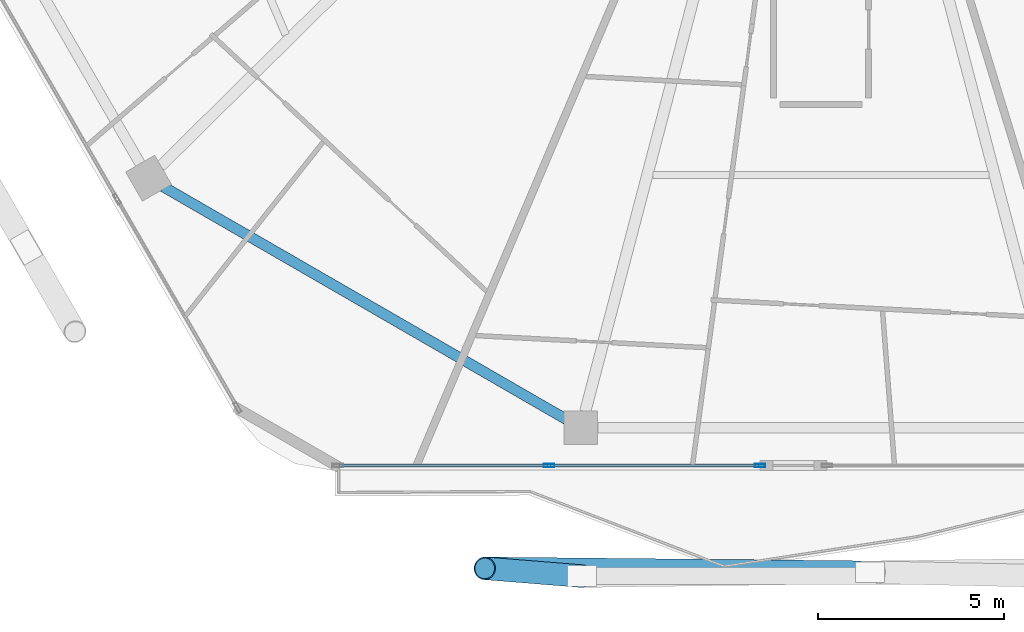
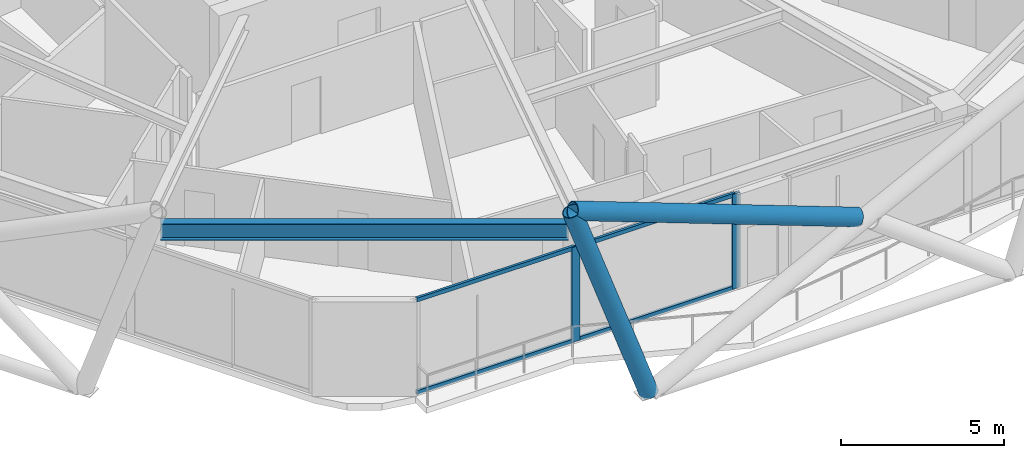
# One storey, part 3 of 28: 8 members, 1 beam, 1 element without a shape of its own.
"""IFC4 building model written with IfcOpenShell, lengths in metres."""

from ifc_helpers import new_model, si_unit, direction, frame, origin, origin_2d, place, context, subcontext, project, spatial, hollow_rectangle, hollow_circle, i_section, extrude, material, material_profile, profile_set, type_object, element, aggregate, save


model = new_model("IFC4")

# Units and contexts
model_context = context("Model", 3, precision=1e-05, world=origin(), true_north=direction((0.0, 1.0)))
body_context = subcontext(model_context, "Body", "Model", "MODEL_VIEW")
ifc_project = project(units=[si_unit("LENGTHUNIT", "METRE"), si_unit("AREAUNIT", "SQUARE_METRE"), si_unit("VOLUMEUNIT", "CUBIC_METRE"), si_unit("PLANEANGLEUNIT", "RADIAN"), si_unit("MASSUNIT", "GRAM", prefix="KILO")], contexts=[model_context])

# Site, building, storey
site_placement = place(None, origin())
site = spatial("IfcSite", under=ifc_project, at=site_placement, CompositionType="ELEMENT")
building_placement = place(site_placement, origin())
building = spatial("IfcBuilding", under=site, at=building_placement, Name="Zuhravey Tower", CompositionType="ELEMENT")
storey_placement = place(building_placement, frame((0.0, 0.0, 254.0)))
storey = spatial("IfcBuildingStorey", under=building, at=storey_placement, Name="L64", CompositionType="ELEMENT", Elevation=254.0)

# Curtain wall, members
ifc_material_1 = material(Name="Thermally broken anodised aluminium", Category="aluminium")
curtain_wall_type = type_object("IfcCurtainWallType", Name="Zone 3-4 High-Rise Curtain Wall CW4", PredefinedType="NOTDEFINED", material=ifc_material_1)
curtain_wall_placement = place(storey_placement, origin())
curtain_wall = element("IfcCurtainWall", 1, at=curtain_wall_placement, inside=storey, type_object=curtain_wall_type, Name="L64 CW4 CW-L64-F5-2", PredefinedType="NOTDEFINED")
ifc_material_2 = material(Name="Anodised aluminium", Category="aluminium")
ifc_material_profile_1 = material_profile(ifc_material_2, hollow_rectangle(XDim=0.090087890625, YDim=0.284912109375, WallThickness=0.0048828125, at=origin_2d()), Name="ALU-RHS-90x285x5")
ifc_profile_set_1 = profile_set([ifc_material_profile_1], Name="Anodised aluminium")
member_type_1 = type_object("IfcMemberType", Name="Curtain-Wall Mullion 90x180", PredefinedType="MULLION", material=ifc_profile_set_1)
member_1_placement = place(storey_placement, frame((34.3671875, 6.436279296875, 0.0), z_axis=(0.0, 0.0, 1.0), x_axis=(0.0, -1.0, 0.0)))
member_1 = element("IfcMember", 2, at=member_1_placement, type_object=member_type_1, Name="CW4 mullion 1", PredefinedType="MULLION", context=body_context, shape_type="SweptSolid", body=[
    extrude(hollow_rectangle(XDim=0.090087890625, YDim=0.284912109375, WallThickness=0.0048828125, at=origin_2d()), origin(), (0.0, 0.0, 1.0), 3.550048828125),
])
member_2_placement = place(storey_placement, frame((28.69970703125, 6.436279296875, 0.0), z_axis=(0.0, 0.0, 1.0), x_axis=(0.0, -1.0, 0.0)))
member_2 = element("IfcMember", 3, at=member_2_placement, type_object=member_type_1, Name="CW4 mullion 2", PredefinedType="MULLION", context=body_context, shape_type="SweptSolid", body=[
    extrude(hollow_rectangle(XDim=0.090087890625, YDim=0.284912109375, WallThickness=0.0048828125, at=origin_2d()), origin(), (0.0, 0.0, 1.0), 3.550048828125),
])
ifc_material_profile_2 = material_profile(ifc_material_2, hollow_rectangle(XDim=0.090087890625, YDim=0.14990234375, WallThickness=0.0048828125, at=origin_2d()), Name="ALU-RHS-90x150x5")
ifc_profile_set_2 = profile_set([ifc_material_profile_2], Name="Anodised aluminium")
member_type_2 = type_object("IfcMemberType", Name="Curtain-Wall Transom 90x150", PredefinedType="USERDEFINED", material=ifc_profile_set_2)
member_3_placement = place(storey_placement, frame((34.322265625, 6.436279296875, 0.044921875), z_axis=(-1.0, 0.0, 0.0), x_axis=(0.0, -1.0, 0.0)))
member_3 = element("IfcMember", 4, at=member_3_placement, type_object=member_type_2, Name="CW4 transom 1.1", ObjectType="TRANSOM", PredefinedType="USERDEFINED", context=body_context, shape_type="SweptSolid", body=[
    extrude(hollow_rectangle(XDim=0.090087890625, YDim=0.14990234375, WallThickness=0.0048828125, at=origin_2d()), origin(), (0.0, 0.0, 1.0), 5.57763671875),
])
member_4_placement = place(storey_placement, frame((34.322265625, 6.436279296875, 3.5048828125), z_axis=(-1.0, 0.0, 0.0), x_axis=(0.0, -1.0, 0.0)))
member_4 = element("IfcMember", 5, at=member_4_placement, type_object=member_type_2, Name="CW4 transom 1.2", ObjectType="TRANSOM", PredefinedType="USERDEFINED", context=body_context, shape_type="SweptSolid", body=[
    extrude(hollow_rectangle(XDim=0.090087890625, YDim=0.14990234375, WallThickness=0.0048828125, at=origin_2d()), origin(), (0.0, 0.0, 1.0), 5.57763671875),
])
member_5_placement = place(storey_placement, frame((28.65478515625, 6.436279296875, 0.044921875), z_axis=(-1.0, 0.0, 0.0), x_axis=(0.0, -1.0, 0.0)))
member_5 = element("IfcMember", 6, at=member_5_placement, type_object=member_type_2, Name="CW4 transom 2.1", ObjectType="TRANSOM", PredefinedType="USERDEFINED", context=body_context, shape_type="SweptSolid", body=[
    extrude(hollow_rectangle(XDim=0.090087890625, YDim=0.14990234375, WallThickness=0.0048828125, at=origin_2d()), origin(), (0.0, 0.0, 1.0), 5.577392578125),
])
member_6_placement = place(storey_placement, frame((28.65478515625, 6.436279296875, 3.5048828125), z_axis=(-1.0, 0.0, 0.0), x_axis=(0.0, -1.0, 0.0)))
member_6 = element("IfcMember", 7, at=member_6_placement, type_object=member_type_2, Name="CW4 transom 2.2", ObjectType="TRANSOM", PredefinedType="USERDEFINED", context=body_context, shape_type="SweptSolid", body=[
    extrude(hollow_rectangle(XDim=0.090087890625, YDim=0.14990234375, WallThickness=0.0048828125, at=origin_2d()), origin(), (0.0, 0.0, 1.0), 5.577392578125),
])
aggregate(curtain_wall, [member_1, member_2, member_3, member_4, member_5, member_6])

# Members
ifc_material_3 = material(Name="Steel SM355", Category="steel")
ifc_material_profile_3 = material_profile(ifc_material_3, hollow_circle(Radius=0.3046875, WallThickness=0.028076171875, at=origin_2d()), Name="CHS-609.6x28")
ifc_profile_set_3 = profile_set([ifc_material_profile_3], Name="Steel SM355")
member_type_3 = type_object("IfcMemberType", Name="Exoskeleton Zone 3 Diagrid CHS610x28", PredefinedType="BRACE", material=ifc_profile_set_3)
member_7_placement = place(storey_placement, frame((29.586181640625, 3.466796875, -0.446044921875), z_axis=(-0.325949105984, 0.026110091215, 0.945026689276), x_axis=(-0.07984903283, -0.996806968252, 0.0)))
element("IfcMember", 8, at=member_7_placement, inside=storey, type_object=member_type_3, Name="L64 Face 5 Diagrid Brace 1", PredefinedType="BRACE", context=body_context, shape_type="SweptSolid", body=[
    extrude(hollow_circle(Radius=0.3046875, WallThickness=0.028076171875, at=origin_2d()), origin(), (0.0, 0.0, 1.0), 8.00390625),
])
member_8_placement = place(storey_placement, frame((37.033935546875, 3.57421875, 3.437744140625), z_axis=(-0.938579998862, 0.009531863801, 0.344930035382), x_axis=(-0.010155098455, -0.999948435658, 0.0)))
element("IfcMember", 9, at=member_8_placement, inside=storey, type_object=member_type_3, Name="L64 Face 5 Split Diagrid Brace 3B", PredefinedType="BRACE", context=body_context, shape_type="SweptSolid", body=[
    extrude(hollow_circle(Radius=0.3046875, WallThickness=0.028076171875, at=origin_2d()), origin(), (0.0, 0.0, 1.0), 10.6806640625),
])

# Beam
ifc_material_profile_4 = material_profile(ifc_material_3, i_section(OverallWidth=0.280029296875, OverallDepth=0.6201171875, WebThickness=0.011962890625, FlangeThickness=0.02001953125, at=origin_2d()), Name="H-620x280x12x20")
ifc_profile_set_4 = profile_set([ifc_material_profile_4], Name="Steel SM355")
beam_type = type_object("IfcBeamType", Name="Perimeter Ring Beam H620x280", PredefinedType="BEAM", material=ifc_profile_set_4)
beam_placement = place(storey_placement, frame((18.3486328125, 13.918701171875, 3.239990234375), z_axis=(0.866025131093, -0.500000472315, 0.0), x_axis=(0.500000472315, 0.866025131093, 0.0)))
element("IfcBeam", 10, at=beam_placement, inside=storey, type_object=beam_type, Name="L64 PB3 BM-L64-PB-08", PredefinedType="BEAM", context=body_context, shape_type="SweptSolid", body=[
    extrude(i_section(OverallWidth=0.280029296875, OverallDepth=0.6201171875, WebThickness=0.011962890625, FlangeThickness=0.02001953125, at=origin_2d()), origin(), (0.0, 0.0, 1.0), 12.49169921875),
])

save(model, "model.ifc")
